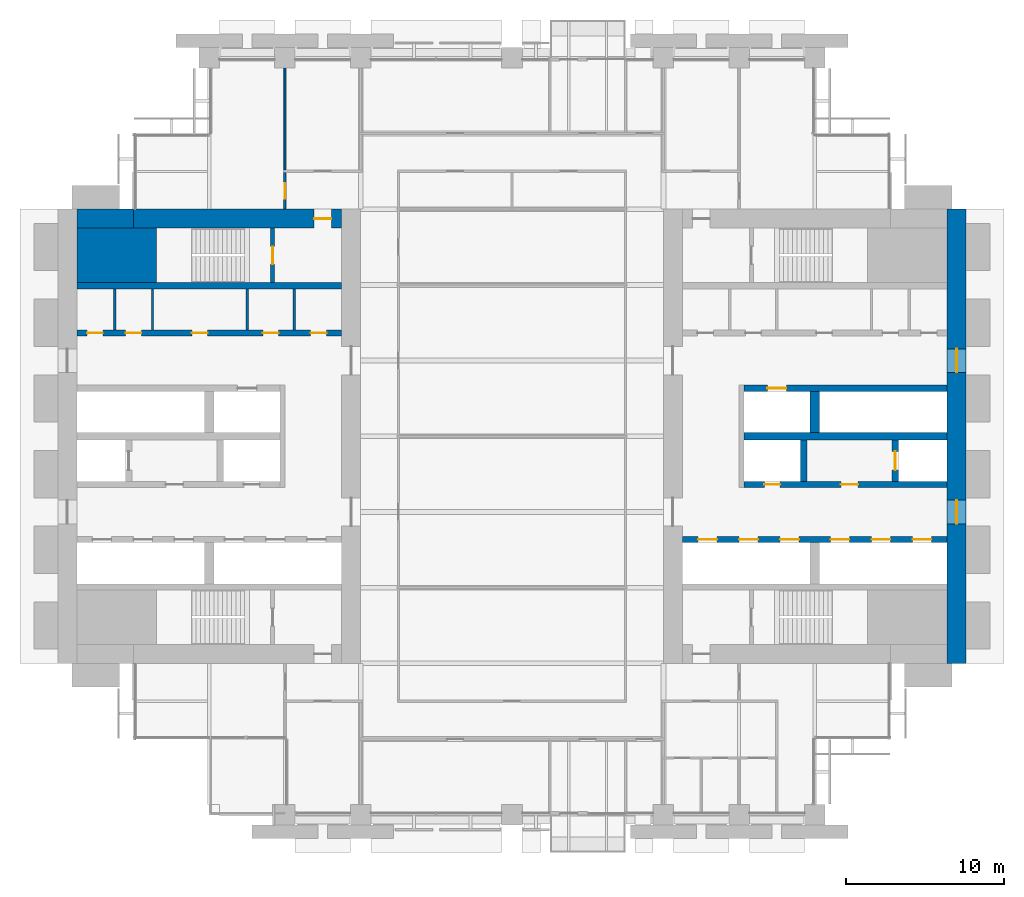
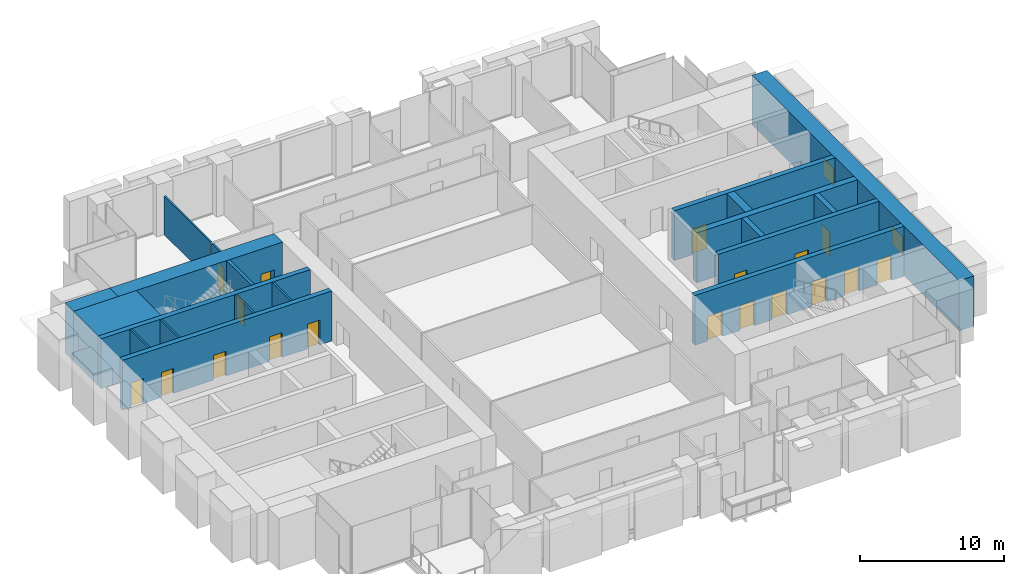
# One storey, part 11 of 15: 20 walls, 18 doors, 2 windows, 20 openings.
"""IFC4 building model written with IfcOpenShell, lengths in metres."""

from ifc_helpers import new_model, si_unit, direction, frame, frame_2d, origin, place, context, subcontext, project, spatial, rectangle, extrude, material, layer, layer_set, type_object, element, fill, save


model = new_model("IFC4")

# Units and contexts
model_context = context("Model", 3, precision=1e-05, world=origin(), true_north=direction((0.0, 1.0)))
body_context = subcontext(model_context, "Body", "Model", "MODEL_VIEW")
ifc_project = project(units=[si_unit("LENGTHUNIT", "METRE"), si_unit("AREAUNIT", "SQUARE_METRE"), si_unit("VOLUMEUNIT", "CUBIC_METRE"), si_unit("PLANEANGLEUNIT", "RADIAN"), si_unit("MASSUNIT", "GRAM", prefix="KILO")], contexts=[model_context])

# Site, building, storey
site_placement = place(None, origin())
site = spatial("IfcSite", under=ifc_project, at=site_placement, CompositionType="ELEMENT")
building_placement = place(site_placement, origin())
building = spatial("IfcBuilding", under=site, at=building_placement, Name="Baori Bourse Tower", CompositionType="ELEMENT")
storey_placement = place(building_placement, frame((0.0, 0.0, 34.60009765625)))
storey = spatial("IfcBuildingStorey", under=building, at=storey_placement, Name="L06", CompositionType="ELEMENT", Elevation=34.60009765625)

# Walls
ifc_material_1 = material(Name="Concrete f'c 70 MPa", Category="concrete")
wall_type_1 = type_object("IfcWallType", Name="Core corner block f'c 70", PredefinedType="SHEAR", material=ifc_material_1)
wall_1_placement = place(storey_placement, frame((1.199951171875, 35.47509765625, 0.0), z_axis=(0.0, 0.0, 1.0), x_axis=(1.0, 0.0, 0.0)))
element("IfcWall", 1, at=wall_1_placement, inside=storey, type_object=wall_type_1, Name="Core wall W23", PredefinedType="SHEAR", context=body_context, shape_type="SweptSolid", body=[
    extrude(rectangle(XDim=5.050048828125, YDim=3.449951171875, at=frame_2d((2.52490234375, 0.0))), origin(), (0.0, 0.0, 1.0), 4.239990234375),
])
ifc_material_2 = material(Name="Blockwork partition", Category="masonry")
ifc_layer_1 = layer(ifc_material_2, 0.14990234375)
ifc_layer_set_1 = layer_set([ifc_layer_1], Name="Core partition 150")
wall_type_2 = type_object("IfcWallType", Name="Core partition 150", PredefinedType="PARTITIONING", material=ifc_layer_set_1)
for number, where, z_axis, x_axis, name in (
    (2, (3.60009765625, 30.75, 0.0), (0.0, 0.0, 1.0), (0.0, 1.0, 0.0), "Partition wall W18"),
    (3, (6.0, 30.75, 0.0), (0.0, 0.0, 1.0), (0.0, 1.0, 0.0), "Partition wall W19"),
    (4, (12.0, 30.75, 0.0), (0.0, 0.0, 1.0), (0.0, 1.0, 0.0), "Partition wall W20"),
    (5, (15.0, 30.75, 0.0), (0.0, 0.0, 1.0), (0.0, 1.0, 0.0), "Partition wall W21"),
):
    element("IfcWall", number, at=place(storey_placement, frame(where, z_axis=z_axis, x_axis=x_axis)), inside=storey, type_object=wall_type_2, Name=name, PredefinedType="PARTITIONING", context=body_context, shape_type="SweptSolid", body=[
        extrude(rectangle(XDim=2.60009765625, YDim=0.14990234375, at=frame_2d((1.300048828125, 0.0))), origin(), (0.0, 0.0, 1.0), 4.239990234375),
    ])
ifc_material_3 = material(Name="Concrete f'c 70 MPa", Category="concrete")
ifc_layer_2 = layer(ifc_material_3, 1.199951171875)
ifc_layer_set_2 = layer_set([ifc_layer_2], Name="Core wall 1200 f'c 70")
wall_type_3 = type_object("IfcWallType", Name="Core wall 1200 f'c 70", PredefinedType="SHEAR", material=ifc_layer_set_2)
wall_2_placement = place(storey_placement, frame((1.199951171875, 37.800048828125, 0.0), z_axis=(0.0, 0.0, 1.0), x_axis=(1.0, 0.0, 0.0)))
element("IfcWall", 6, at=wall_2_placement, inside=storey, type_object=wall_type_3, Name="Core wall W25", PredefinedType="SHEAR", context=body_context, shape_type="SweptSolid", body=[
    extrude(rectangle(XDim=3.60009765625, YDim=1.199951171875, at=frame_2d((1.800048828125, 0.0))), origin(), (0.0, 0.0, 1.0), 4.239990234375),
])

# Wall, opening, door
wall_3_placement = place(storey_placement, frame((4.800048828125, 37.800048828125, 0.0), z_axis=(0.0, 0.0, 1.0), x_axis=(1.0, 0.0, 0.0)))
wall_3 = element("IfcWall", 7, at=wall_3_placement, inside=storey, type_object=wall_type_3, Name="Core wall W26", PredefinedType="SHEAR", context=body_context, shape_type="SweptSolid", body=[
    extrude(rectangle(XDim=13.199951171875, YDim=1.199951171875, at=frame_2d((6.60009765625, 0.0))), origin(), (0.0, 0.0, 1.0), 4.239990234375),
])
opening_1_placement = place(wall_3_placement, frame((11.449951171875, 0.0, 0.0)))
opening_1 = element("IfcOpeningElement", 8, at=opening_1_placement, cuts=wall_3, Name="Opening L06-D104", PredefinedType="OPENING", context=body_context, shape_type="SweptSolid", body=[
    extrude(rectangle(XDim=1.10009765625, YDim=2.10009765625, at=frame_2d((0.550048828125, 1.050048828125))), frame((0.0, 0.60986328125, 0.0), z_axis=(0.0, -1.0, 0.0), x_axis=(1.0, 0.0, 0.0)), (0.0, 0.0, 1.0), 1.219970703125),
])
ifc_material_4 = material(Name="Painted steel door", Category="steel")
door_type_1 = type_object("IfcDoorType", Name="Stair door 1100", OperationType="SINGLE_SWING_LEFT", PredefinedType="DOOR", material=ifc_material_4)
door_1_placement = place(opening_1_placement, origin())
door_1 = element("IfcDoor", 9, at=door_1_placement, inside=storey, type_object=door_type_1, Name="Stair vestibule door B W L06", OperationType="SINGLE_SWING_LEFT", OverallHeight=2.10009765625, OverallWidth=1.10009765625, PredefinedType="DOOR", context=body_context, shape_type="SweptSolid", body=[
    extrude(rectangle(XDim=1.10009765625, YDim=2.10009765625, at=frame_2d((0.550048828125, 1.050048828125))), frame((0.0, 0.02490234375, 0.0), z_axis=(0.0, -1.0, 0.0), x_axis=(1.0, 0.0, 0.0)), (0.0, 0.0, 1.0), 0.050048828125),
])
fill(opening_1, door_1)

# Wall, openings, windows
wall_4_placement = place(storey_placement, frame((57.0, 38.39990234375, 0.0), z_axis=(0.0, 0.0, 1.0), x_axis=(0.0, -1.0, 0.0)))
wall_4 = element("IfcWall", 10, at=wall_4_placement, inside=storey, type_object=wall_type_3, Name="Core wall E01", PredefinedType="SHEAR", context=body_context, shape_type="SweptSolid", body=[
    extrude(rectangle(XDim=28.7998046875, YDim=1.199951171875, at=frame_2d((14.39990234375, 0.0))), origin(), (0.0, 0.0, 1.0), 4.239990234375),
])
opening_2_placement = place(wall_4_placement, frame((18.449951171875, 0.0, 0.89990234375)))
opening_2 = element("IfcOpeningElement", 11, at=opening_2_placement, cuts=wall_4, Name="Opening L06-KW201", PredefinedType="OPENING", context=body_context, shape_type="SweptSolid", body=[
    extrude(rectangle(XDim=1.5, YDim=1.5, at=frame_2d((0.75, 0.75))), frame((0.0, 0.60986328125, 0.0), z_axis=(0.0, -1.0, 0.0), x_axis=(1.0, 0.0, 0.0)), (0.0, 0.0, 1.0), 1.219970703125),
])
opening_3_placement = place(wall_4_placement, frame((8.85009765625, 0.0, 0.89990234375)))
opening_3 = element("IfcOpeningElement", 12, at=opening_3_placement, cuts=wall_4, Name="Opening L06-KW202", PredefinedType="OPENING", context=body_context, shape_type="SweptSolid", body=[
    extrude(rectangle(XDim=1.5, YDim=1.5, at=frame_2d((0.75, 0.75))), frame((0.0, 0.60986328125, 0.0), z_axis=(0.0, -1.0, 0.0), x_axis=(1.0, 0.0, 0.0)), (0.0, 0.0, 1.0), 1.219970703125),
])
ifc_material_5 = material(Name="Pale anodised aluminium", Category="aluminium")
window_type = type_object("IfcWindowType", Name="Lobby window 1500 x 1500", PartitioningType="SINGLE_PANEL", PredefinedType="WINDOW", material=ifc_material_5)
window_1_placement = place(opening_2_placement, origin())
window_1 = element("IfcWindow", 13, at=window_1_placement, inside=storey, type_object=window_type, Name="Outer wall window E L06 1", OverallHeight=1.5, OverallWidth=1.5, PartitioningType="SINGLE_PANEL", PredefinedType="WINDOW", context=body_context, shape_type="SweptSolid", body=[
    extrude(rectangle(XDim=1.5, YDim=1.5, at=frame_2d((0.75, 0.75))), frame((0.0, 0.030029296875, 0.0), z_axis=(0.0, -1.0, 0.0), x_axis=(1.0, 0.0, 0.0)), (0.0, 0.0, 1.0), 0.06005859375),
])
fill(opening_2, window_1)
window_2_placement = place(opening_3_placement, origin())
window_2 = element("IfcWindow", 14, at=window_2_placement, inside=storey, type_object=window_type, Name="Outer wall window E L06 2", OverallHeight=1.5, OverallWidth=1.5, PartitioningType="SINGLE_PANEL", PredefinedType="WINDOW", context=body_context, shape_type="SweptSolid", body=[
    extrude(rectangle(XDim=1.5, YDim=1.5, at=frame_2d((0.75, 0.75))), frame((0.0, 0.030029296875, 0.0), z_axis=(0.0, -1.0, 0.0), x_axis=(1.0, 0.0, 0.0)), (0.0, 0.0, 1.0), 0.06005859375),
])
fill(opening_3, window_2)

# Wall, opening, door
ifc_material_6 = material(Name="Gypsum board partition")
ifc_layer_3 = layer(ifc_material_6, 0.14990234375)
ifc_layer_set_3 = layer_set([ifc_layer_3], Name="Corridor partition 150")
wall_type_4 = type_object("IfcWallType", Name="Corridor partition 150", PredefinedType="PARTITIONING", material=ifc_layer_set_3)
wall_5_placement = place(storey_placement, frame((14.39990234375, 38.39990234375, 0.0), z_axis=(0.0, 0.0, 1.0), x_axis=(0.0, 1.0, 0.0)))
wall_5 = element("IfcWall", 15, at=wall_5_placement, inside=storey, type_object=wall_type_4, Name="Partition", PredefinedType="PARTITIONING", context=body_context, shape_type="SweptSolid", body=[
    extrude(rectangle(XDim=2.3251953125, YDim=0.14990234375, at=frame_2d((1.16259765625, 0.0))), origin(), (0.0, 0.0, 1.0), 3.26953125),
])
opening_4_placement = place(wall_5_placement, frame((0.66259765625, 0.0, 0.0)))
opening_4 = element("IfcOpeningElement", 16, at=opening_4_placement, cuts=wall_5, Name="Opening L06-D18", PredefinedType="OPENING", context=body_context, shape_type="SweptSolid", body=[
    extrude(rectangle(XDim=1.0, YDim=2.10009765625, at=frame_2d((0.5, 1.050048828125))), frame((0.0, 0.0849609375, 0.0), z_axis=(0.0, -1.0, 0.0), x_axis=(1.0, 0.0, 0.0)), (0.0, 0.0, 1.0), 0.169921875),
])
ifc_material_7 = material(Name="Timber door leaf", Category="wood")
door_type_2 = type_object("IfcDoorType", Name="Door 1000 x 2100", OperationType="SINGLE_SWING_LEFT", PredefinedType="DOOR", material=ifc_material_7)
door_2_placement = place(opening_4_placement, origin())
door_2 = element("IfcDoor", 17, at=door_2_placement, inside=storey, type_object=door_type_2, Name="Door", OperationType="SINGLE_SWING_RIGHT", OverallHeight=2.10009765625, OverallWidth=1.0, PredefinedType="DOOR", context=body_context, shape_type="SweptSolid", body=[
    extrude(rectangle(XDim=1.0, YDim=2.10009765625, at=frame_2d((0.5, 1.050048828125))), frame((0.0, 0.02490234375, 0.0), z_axis=(0.0, -1.0, 0.0), x_axis=(1.0, 0.0, 0.0)), (0.0, 0.0, 1.0), 0.050048828125),
])
fill(opening_4, door_2)

# Wall
ifc_material_8 = material(Name="Gypsum board partition")
ifc_layer_4 = layer(ifc_material_8, 0.125)
ifc_layer_set_4 = layer_set([ifc_layer_4], Name="Partition 125")
wall_type_5 = type_object("IfcWallType", Name="Partition 125", PredefinedType="PARTITIONING", material=ifc_layer_set_4)
wall_6_placement = place(storey_placement, frame((14.39990234375, 40.875, 0.0), z_axis=(0.0, 0.0, 1.0), x_axis=(0.0, 1.0, 0.0)))
element("IfcWall", 18, at=wall_6_placement, inside=storey, type_object=wall_type_5, Name="Partition", PredefinedType="PARTITIONING", context=body_context, shape_type="SweptSolid", body=[
    extrude(rectangle(XDim=6.47509765625, YDim=0.125, at=frame_2d((3.237548828125, 0.0))), origin(), (0.0, 0.0, 1.0), 3.26953125),
])

# Wall, opening, door
ifc_material_9 = material(Name="Concrete f'c 70 MPa", Category="concrete")
ifc_layer_5 = layer(ifc_material_9, 0.25)
ifc_layer_set_5 = layer_set([ifc_layer_5], Name="Shaft wall 250 f'c 70")
wall_type_6 = type_object("IfcWallType", Name="Shaft wall 250 f'c 70", PredefinedType="SHEAR", material=ifc_layer_set_5)
wall_7_placement = place(storey_placement, frame((13.625, 33.75, 0.0), z_axis=(0.0, 0.0, 1.0), x_axis=(0.0, 1.0, 0.0)))
wall_7 = element("IfcWall", 19, at=wall_7_placement, inside=storey, type_object=wall_type_6, Name="Core wall W24", PredefinedType="SHEAR", context=body_context, shape_type="SweptSolid", body=[
    extrude(rectangle(XDim=3.449951171875, YDim=0.25, at=frame_2d((1.72509765625, 0.0))), origin(), (0.0, 0.0, 1.0), 4.239990234375),
])
opening_5_placement = place(wall_7_placement, frame((1.175048828125, 0.0, 0.0)))
opening_5 = element("IfcOpeningElement", 20, at=opening_5_placement, cuts=wall_7, Name="Opening L06-D103", PredefinedType="OPENING", context=body_context, shape_type="SweptSolid", body=[
    extrude(rectangle(XDim=1.10009765625, YDim=2.10009765625, at=frame_2d((0.550048828125, 1.050048828125))), frame((0.0, 0.135009765625, 0.0), z_axis=(0.0, -1.0, 0.0), x_axis=(1.0, 0.0, 0.0)), (0.0, 0.0, 1.0), 0.27001953125),
])
door_3_placement = place(opening_5_placement, origin())
door_3 = element("IfcDoor", 21, at=door_3_placement, inside=storey, type_object=door_type_1, Name="Stair door B W L06", OperationType="SINGLE_SWING_LEFT", OverallHeight=2.10009765625, OverallWidth=1.10009765625, PredefinedType="DOOR", context=body_context, shape_type="SweptSolid", body=[
    extrude(rectangle(XDim=1.10009765625, YDim=2.10009765625, at=frame_2d((0.550048828125, 1.050048828125))), frame((0.0, 0.02490234375, 0.0), z_axis=(0.0, -1.0, 0.0), x_axis=(1.0, 0.0, 0.0)), (0.0, 0.0, 1.0), 0.050048828125),
])
fill(opening_5, door_3)

# Wall, openings, doors
ifc_material_10 = material(Name="Concrete f'c 70 MPa", Category="concrete")
ifc_layer_6 = layer(ifc_material_10, 0.39990234375)
ifc_layer_set_6 = layer_set([ifc_layer_6], Name="Shaft wall 400 f'c 70")
wall_type_7 = type_object("IfcWallType", Name="Shaft wall 400 f'c 70", PredefinedType="SHEAR", material=ifc_layer_set_6)
wall_8_placement = place(storey_placement, frame((1.199951171875, 30.550048828125, 0.0), z_axis=(0.0, 0.0, 1.0), x_axis=(1.0, 0.0, 0.0)))
wall_8 = element("IfcWall", 22, at=wall_8_placement, inside=storey, type_object=wall_type_7, Name="Core wall W17", PredefinedType="SHEAR", context=body_context, shape_type="SweptSolid", body=[
    extrude(rectangle(XDim=16.800048828125, YDim=0.39990234375, at=frame_2d((8.39990234375, 0.0))), origin(), (0.0, 0.0, 1.0), 4.239990234375),
])
opening_6_placement = place(wall_8_placement, frame((0.66259765625, 0.0, 0.0)))
opening_6 = element("IfcOpeningElement", 23, at=opening_6_placement, cuts=wall_8, Name="Opening L06-D109", PredefinedType="OPENING", context=body_context, shape_type="SweptSolid", body=[
    extrude(rectangle(XDim=1.0, YDim=2.10009765625, at=frame_2d((0.5, 1.050048828125))), frame((0.0, 0.2099609375, 0.0), z_axis=(0.0, -1.0, 0.0), x_axis=(1.0, 0.0, 0.0)), (0.0, 0.0, 1.0), 0.419921875),
])
opening_7_placement = place(wall_8_placement, frame((3.10009765625, 0.0, 0.0)))
opening_7 = element("IfcOpeningElement", 24, at=opening_7_placement, cuts=wall_8, Name="Opening L06-D110", PredefinedType="OPENING", context=body_context, shape_type="SweptSolid", body=[
    extrude(rectangle(XDim=1.0, YDim=2.10009765625, at=frame_2d((0.5, 1.050048828125))), frame((0.0, 0.2099609375, 0.0), z_axis=(0.0, -1.0, 0.0), x_axis=(1.0, 0.0, 0.0)), (0.0, 0.0, 1.0), 0.419921875),
])
opening_8_placement = place(wall_8_placement, frame((7.300048828125, 0.0, 0.0)))
opening_8 = element("IfcOpeningElement", 25, at=opening_8_placement, cuts=wall_8, Name="Opening L06-D111", PredefinedType="OPENING", context=body_context, shape_type="SweptSolid", body=[
    extrude(rectangle(XDim=1.0, YDim=2.10009765625, at=frame_2d((0.5, 1.050048828125))), frame((0.0, 0.2099609375, 0.0), z_axis=(0.0, -1.0, 0.0), x_axis=(1.0, 0.0, 0.0)), (0.0, 0.0, 1.0), 0.419921875),
])
opening_9_placement = place(wall_8_placement, frame((11.800048828125, 0.0, 0.0)))
opening_9 = element("IfcOpeningElement", 26, at=opening_9_placement, cuts=wall_8, Name="Opening L06-D112", PredefinedType="OPENING", context=body_context, shape_type="SweptSolid", body=[
    extrude(rectangle(XDim=1.0, YDim=2.10009765625, at=frame_2d((0.5, 1.050048828125))), frame((0.0, 0.2099609375, 0.0), z_axis=(0.0, -1.0, 0.0), x_axis=(1.0, 0.0, 0.0)), (0.0, 0.0, 1.0), 0.419921875),
])
opening_10_placement = place(wall_8_placement, frame((14.83740234375, 0.0, 0.0)))
opening_10 = element("IfcOpeningElement", 27, at=opening_10_placement, cuts=wall_8, Name="Opening L06-D113", PredefinedType="OPENING", context=body_context, shape_type="SweptSolid", body=[
    extrude(rectangle(XDim=1.0, YDim=2.10009765625, at=frame_2d((0.5, 1.050048828125))), frame((0.0, 0.2099609375, 0.0), z_axis=(0.0, -1.0, 0.0), x_axis=(1.0, 0.0, 0.0)), (0.0, 0.0, 1.0), 0.419921875),
])
ifc_material_11 = material(Name="Painted steel door", Category="steel")
door_type_3 = type_object("IfcDoorType", Name="Core door 1000", OperationType="SINGLE_SWING_LEFT", PredefinedType="DOOR", material=ifc_material_11)
door_4_placement = place(opening_7_placement, origin())
door_4 = element("IfcDoor", 28, at=door_4_placement, inside=storey, type_object=door_type_3, Name="Store Room door W L06", OperationType="SINGLE_SWING_LEFT", OverallHeight=2.10009765625, OverallWidth=1.0, PredefinedType="DOOR", context=body_context, shape_type="SweptSolid", body=[
    extrude(rectangle(XDim=1.0, YDim=2.10009765625, at=frame_2d((0.5, 1.050048828125))), frame((0.0, 0.02490234375, 0.0), z_axis=(0.0, -1.0, 0.0), x_axis=(1.0, 0.0, 0.0)), (0.0, 0.0, 1.0), 0.050048828125),
])
fill(opening_7, door_4)
door_5_placement = place(opening_8_placement, origin())
door_5 = element("IfcDoor", 29, at=door_5_placement, inside=storey, type_object=door_type_3, Name="Men'S Wc door W L06", OperationType="SINGLE_SWING_LEFT", OverallHeight=2.10009765625, OverallWidth=1.0, PredefinedType="DOOR", context=body_context, shape_type="SweptSolid", body=[
    extrude(rectangle(XDim=1.0, YDim=2.10009765625, at=frame_2d((0.5, 1.050048828125))), frame((0.0, 0.02490234375, 0.0), z_axis=(0.0, -1.0, 0.0), x_axis=(1.0, 0.0, 0.0)), (0.0, 0.0, 1.0), 0.050048828125),
])
fill(opening_8, door_5)
door_6_placement = place(opening_9_placement, origin())
door_6 = element("IfcDoor", 30, at=door_6_placement, inside=storey, type_object=door_type_3, Name="Women'S Wc door W L06", OperationType="SINGLE_SWING_LEFT", OverallHeight=2.10009765625, OverallWidth=1.0, PredefinedType="DOOR", context=body_context, shape_type="SweptSolid", body=[
    extrude(rectangle(XDim=1.0, YDim=2.10009765625, at=frame_2d((0.5, 1.050048828125))), frame((0.0, 0.02490234375, 0.0), z_axis=(0.0, -1.0, 0.0), x_axis=(1.0, 0.0, 0.0)), (0.0, 0.0, 1.0), 0.050048828125),
])
fill(opening_9, door_6)
door_7_placement = place(opening_10_placement, origin())
door_7 = element("IfcDoor", 31, at=door_7_placement, inside=storey, type_object=door_type_3, Name="Accessible Wc door W L06", OperationType="SINGLE_SWING_LEFT", OverallHeight=2.10009765625, OverallWidth=1.0, PredefinedType="DOOR", context=body_context, shape_type="SweptSolid", body=[
    extrude(rectangle(XDim=1.0, YDim=2.10009765625, at=frame_2d((0.5, 1.050048828125))), frame((0.0, 0.02490234375, 0.0), z_axis=(0.0, -1.0, 0.0), x_axis=(1.0, 0.0, 0.0)), (0.0, 0.0, 1.0), 0.050048828125),
])
fill(opening_10, door_7)
ifc_material_12 = material(Name="Painted steel door", Category="steel")
door_type_4 = type_object("IfcDoorType", Name="Plant room door 1000", OperationType="SINGLE_SWING_LEFT", PredefinedType="DOOR", material=ifc_material_12)
door_8_placement = place(opening_6_placement, origin())
door_8 = element("IfcDoor", 32, at=door_8_placement, inside=storey, type_object=door_type_4, Name="Communications Room door W L06", OperationType="SINGLE_SWING_LEFT", OverallHeight=2.10009765625, OverallWidth=1.0, PredefinedType="DOOR", context=body_context, shape_type="SweptSolid", body=[
    extrude(rectangle(XDim=1.0, YDim=2.10009765625, at=frame_2d((0.5, 1.050048828125))), frame((0.0, 0.02490234375, 0.0), z_axis=(0.0, -1.0, 0.0), x_axis=(1.0, 0.0, 0.0)), (0.0, 0.0, 1.0), 0.050048828125),
])
fill(opening_6, door_8)

# Wall
wall_9_placement = place(storey_placement, frame((1.199951171875, 33.550048828125, 0.0), z_axis=(0.0, 0.0, 1.0), x_axis=(1.0, 0.0, 0.0)))
element("IfcWall", 33, at=wall_9_placement, inside=storey, type_object=wall_type_7, Name="Core wall W22", PredefinedType="SHEAR", context=body_context, shape_type="SweptSolid", body=[
    extrude(rectangle(XDim=16.800048828125, YDim=0.39990234375, at=frame_2d((8.39990234375, 0.0))), origin(), (0.0, 0.0, 1.0), 4.239990234375),
])

# Wall, openings, doors
wall_10_placement = place(storey_placement, frame((39.60009765625, 17.449951171875, 0.0), z_axis=(0.0, 0.0, 1.0), x_axis=(1.0, 0.0, 0.0)))
wall_10 = element("IfcWall", 34, at=wall_10_placement, inside=storey, type_object=wall_type_7, Name="Core wall E09", PredefinedType="SHEAR", context=body_context, shape_type="SweptSolid", body=[
    extrude(rectangle(XDim=16.7998046875, YDim=0.39990234375, at=frame_2d((8.39990234375, 0.0))), origin(), (0.0, 0.0, 1.0), 4.239990234375),
])
opening_11_placement = place(wall_10_placement, frame((14.60009765625, 0.0, 0.0)))
opening_11 = element("IfcOpeningElement", 35, at=opening_11_placement, cuts=wall_10, Name="Opening L06-D214", PredefinedType="OPENING", context=body_context, shape_type="SweptSolid", body=[
    extrude(rectangle(XDim=1.199951171875, YDim=2.10009765625, at=frame_2d((0.60009765625, 1.050048828125))), frame((0.0, 0.2099609375, 0.0), z_axis=(0.0, -1.0, 0.0), x_axis=(1.0, 0.0, 0.0)), (0.0, 0.0, 1.0), 0.419921875),
])
opening_12_placement = place(wall_10_placement, frame((12.0, 0.0, 0.0)))
opening_12 = element("IfcOpeningElement", 36, at=opening_12_placement, cuts=wall_10, Name="Opening L06-D215", PredefinedType="OPENING", context=body_context, shape_type="SweptSolid", body=[
    extrude(rectangle(XDim=1.199951171875, YDim=2.10009765625, at=frame_2d((0.60009765625, 1.050048828125))), frame((0.0, 0.2099609375, 0.0), z_axis=(0.0, -1.0, 0.0), x_axis=(1.0, 0.0, 0.0)), (0.0, 0.0, 1.0), 0.419921875),
])
opening_13_placement = place(wall_10_placement, frame((9.39990234375, 0.0, 0.0)))
opening_13 = element("IfcOpeningElement", 37, at=opening_13_placement, cuts=wall_10, Name="Opening L06-D216", PredefinedType="OPENING", context=body_context, shape_type="SweptSolid", body=[
    extrude(rectangle(XDim=1.199951171875, YDim=2.10009765625, at=frame_2d((0.60009765625, 1.050048828125))), frame((0.0, 0.2099609375, 0.0), z_axis=(0.0, -1.0, 0.0), x_axis=(1.0, 0.0, 0.0)), (0.0, 0.0, 1.0), 0.419921875),
])
opening_14_placement = place(wall_10_placement, frame((6.199951171875, 0.0, 0.0)))
opening_14 = element("IfcOpeningElement", 38, at=opening_14_placement, cuts=wall_10, Name="Opening L06-D217", PredefinedType="OPENING", context=body_context, shape_type="SweptSolid", body=[
    extrude(rectangle(XDim=1.199951171875, YDim=2.10009765625, at=frame_2d((0.60009765625, 1.050048828125))), frame((0.0, 0.2099609375, 0.0), z_axis=(0.0, -1.0, 0.0), x_axis=(1.0, 0.0, 0.0)), (0.0, 0.0, 1.0), 0.419921875),
])
opening_15_placement = place(wall_10_placement, frame((3.60009765625, 0.0, 0.0)))
opening_15 = element("IfcOpeningElement", 39, at=opening_15_placement, cuts=wall_10, Name="Opening L06-D218", PredefinedType="OPENING", context=body_context, shape_type="SweptSolid", body=[
    extrude(rectangle(XDim=1.199951171875, YDim=2.10009765625, at=frame_2d((0.60009765625, 1.050048828125))), frame((0.0, 0.2099609375, 0.0), z_axis=(0.0, -1.0, 0.0), x_axis=(1.0, 0.0, 0.0)), (0.0, 0.0, 1.0), 0.419921875),
])
opening_16_placement = place(wall_10_placement, frame((1.0, 0.0, 0.0)))
opening_16 = element("IfcOpeningElement", 40, at=opening_16_placement, cuts=wall_10, Name="Opening L06-D219", PredefinedType="OPENING", context=body_context, shape_type="SweptSolid", body=[
    extrude(rectangle(XDim=1.199951171875, YDim=2.10009765625, at=frame_2d((0.60009765625, 1.050048828125))), frame((0.0, 0.2099609375, 0.0), z_axis=(0.0, -1.0, 0.0), x_axis=(1.0, 0.0, 0.0)), (0.0, 0.0, 1.0), 0.419921875),
])
ifc_material_13 = material(Name="Stainless steel door", Category="steel")
door_type_5 = type_object("IfcDoorType", Name="Lift landing door", OperationType="DOUBLE_DOOR_SLIDING", PredefinedType="DOOR", material=ifc_material_13)
door_9_placement = place(opening_11_placement, origin())
door_9 = element("IfcDoor", 41, at=door_9_placement, inside=storey, type_object=door_type_5, Name="Lift landing door LR1 E L06", OperationType="DOUBLE_DOOR_SLIDING", OverallHeight=2.10009765625, OverallWidth=1.199951171875, PredefinedType="DOOR", context=body_context, shape_type="SweptSolid", body=[
    extrude(rectangle(XDim=1.199951171875, YDim=2.10009765625, at=frame_2d((0.60009765625, 1.050048828125))), frame((0.0, 0.02490234375, 0.0), z_axis=(0.0, -1.0, 0.0), x_axis=(1.0, 0.0, 0.0)), (0.0, 0.0, 1.0), 0.050048828125),
])
fill(opening_11, door_9)
door_10_placement = place(opening_12_placement, origin())
door_10 = element("IfcDoor", 42, at=door_10_placement, inside=storey, type_object=door_type_5, Name="Lift landing door LR2 E L06", OperationType="DOUBLE_DOOR_SLIDING", OverallHeight=2.10009765625, OverallWidth=1.199951171875, PredefinedType="DOOR", context=body_context, shape_type="SweptSolid", body=[
    extrude(rectangle(XDim=1.199951171875, YDim=2.10009765625, at=frame_2d((0.60009765625, 1.050048828125))), frame((0.0, 0.02490234375, 0.0), z_axis=(0.0, -1.0, 0.0), x_axis=(1.0, 0.0, 0.0)), (0.0, 0.0, 1.0), 0.050048828125),
])
fill(opening_12, door_10)
door_11_placement = place(opening_13_placement, origin())
door_11 = element("IfcDoor", 43, at=door_11_placement, inside=storey, type_object=door_type_5, Name="Lift landing door LR3 E L06", OperationType="DOUBLE_DOOR_SLIDING", OverallHeight=2.10009765625, OverallWidth=1.199951171875, PredefinedType="DOOR", context=body_context, shape_type="SweptSolid", body=[
    extrude(rectangle(XDim=1.199951171875, YDim=2.10009765625, at=frame_2d((0.60009765625, 1.050048828125))), frame((0.0, 0.02490234375, 0.0), z_axis=(0.0, -1.0, 0.0), x_axis=(1.0, 0.0, 0.0)), (0.0, 0.0, 1.0), 0.050048828125),
])
fill(opening_13, door_11)
door_12_placement = place(opening_14_placement, origin())
door_12 = element("IfcDoor", 44, at=door_12_placement, inside=storey, type_object=door_type_5, Name="Lift landing door LR4 E L06", OperationType="DOUBLE_DOOR_SLIDING", OverallHeight=2.10009765625, OverallWidth=1.199951171875, PredefinedType="DOOR", context=body_context, shape_type="SweptSolid", body=[
    extrude(rectangle(XDim=1.199951171875, YDim=2.10009765625, at=frame_2d((0.60009765625, 1.050048828125))), frame((0.0, 0.02490234375, 0.0), z_axis=(0.0, -1.0, 0.0), x_axis=(1.0, 0.0, 0.0)), (0.0, 0.0, 1.0), 0.050048828125),
])
fill(opening_14, door_12)
door_13_placement = place(opening_15_placement, origin())
door_13 = element("IfcDoor", 45, at=door_13_placement, inside=storey, type_object=door_type_5, Name="Lift landing door LR5 E L06", OperationType="DOUBLE_DOOR_SLIDING", OverallHeight=2.10009765625, OverallWidth=1.199951171875, PredefinedType="DOOR", context=body_context, shape_type="SweptSolid", body=[
    extrude(rectangle(XDim=1.199951171875, YDim=2.10009765625, at=frame_2d((0.60009765625, 1.050048828125))), frame((0.0, 0.02490234375, 0.0), z_axis=(0.0, -1.0, 0.0), x_axis=(1.0, 0.0, 0.0)), (0.0, 0.0, 1.0), 0.050048828125),
])
fill(opening_15, door_13)
door_14_placement = place(opening_16_placement, origin())
door_14 = element("IfcDoor", 46, at=door_14_placement, inside=storey, type_object=door_type_5, Name="Lift landing door LR6 E L06", OperationType="DOUBLE_DOOR_SLIDING", OverallHeight=2.10009765625, OverallWidth=1.199951171875, PredefinedType="DOOR", context=body_context, shape_type="SweptSolid", body=[
    extrude(rectangle(XDim=1.199951171875, YDim=2.10009765625, at=frame_2d((0.60009765625, 1.050048828125))), frame((0.0, 0.02490234375, 0.0), z_axis=(0.0, -1.0, 0.0), x_axis=(1.0, 0.0, 0.0)), (0.0, 0.0, 1.0), 0.050048828125),
])
fill(opening_16, door_14)

wall_11_placement = place(storey_placement, frame((43.5, 20.949951171875, 0.0), z_axis=(0.0, 0.0, 1.0), x_axis=(1.0, 0.0, 0.0)))
wall_11 = element("IfcWall", 47, at=wall_11_placement, inside=storey, type_object=wall_type_7, Name="Core wall E10", PredefinedType="SHEAR", context=body_context, shape_type="SweptSolid", body=[
    extrude(rectangle(XDim=12.89990234375, YDim=0.39990234375, at=frame_2d((6.449951171875, 0.0))), origin(), (0.0, 0.0, 1.0), 4.239990234375),
])
opening_17_placement = place(wall_11_placement, frame((6.14990234375, 0.0, 0.0)))
opening_17 = element("IfcOpeningElement", 48, at=opening_17_placement, cuts=wall_11, Name="Opening L06-D205", PredefinedType="OPENING", context=body_context, shape_type="SweptSolid", body=[
    extrude(rectangle(XDim=1.10009765625, YDim=2.10009765625, at=frame_2d((0.550048828125, 1.050048828125))), frame((0.0, 0.2099609375, 0.0), z_axis=(0.0, -1.0, 0.0), x_axis=(1.0, 0.0, 0.0)), (0.0, 0.0, 1.0), 0.419921875),
])
opening_18_placement = place(wall_11_placement, frame((1.300048828125, 0.0, 0.0)))
opening_18 = element("IfcOpeningElement", 49, at=opening_18_placement, cuts=wall_11, Name="Opening L06-D206", PredefinedType="OPENING", context=body_context, shape_type="SweptSolid", body=[
    extrude(rectangle(XDim=1.0, YDim=2.10009765625, at=frame_2d((0.5, 1.050048828125))), frame((0.0, 0.2099609375, 0.0), z_axis=(0.0, -1.0, 0.0), x_axis=(1.0, 0.0, 0.0)), (0.0, 0.0, 1.0), 0.419921875),
])
ifc_material_14 = material(Name="Painted steel door", Category="steel")
door_type_6 = type_object("IfcDoorType", Name="Lobby door 1100", OperationType="SINGLE_SWING_LEFT", PredefinedType="DOOR", material=ifc_material_14)
door_15_placement = place(opening_17_placement, origin())
door_15 = element("IfcDoor", 50, at=door_15_placement, inside=storey, type_object=door_type_6, Name="Firefighting lobby door E L06", OperationType="SINGLE_SWING_LEFT", OverallHeight=2.10009765625, OverallWidth=1.10009765625, PredefinedType="DOOR", context=body_context, shape_type="SweptSolid", body=[
    extrude(rectangle(XDim=1.10009765625, YDim=2.10009765625, at=frame_2d((0.550048828125, 1.050048828125))), frame((0.0, 0.02490234375, 0.0), z_axis=(0.0, -1.0, 0.0), x_axis=(1.0, 0.0, 0.0)), (0.0, 0.0, 1.0), 0.050048828125),
])
fill(opening_17, door_15)
ifc_material_15 = material(Name="Painted steel door", Category="steel")
door_type_7 = type_object("IfcDoorType", Name="Shaft door 1000", OperationType="SINGLE_SWING_LEFT", PredefinedType="DOOR", material=ifc_material_15)
door_16_placement = place(opening_18_placement, origin())
door_16 = element("IfcDoor", 51, at=door_16_placement, inside=storey, type_object=door_type_7, Name="Riser room door E L06", OperationType="SINGLE_SWING_LEFT", OverallHeight=2.10009765625, OverallWidth=1.0, PredefinedType="DOOR", context=body_context, shape_type="SweptSolid", body=[
    extrude(rectangle(XDim=1.0, YDim=2.10009765625, at=frame_2d((0.5, 1.050048828125))), frame((0.0, 0.02490234375, 0.0), z_axis=(0.0, -1.0, 0.0), x_axis=(1.0, 0.0, 0.0)), (0.0, 0.0, 1.0), 0.050048828125),
])
fill(opening_18, door_16)

# Wall, opening, door
wall_12_placement = place(storey_placement, frame((53.10009765625, 21.14990234375, 0.0), z_axis=(0.0, 0.0, 1.0), x_axis=(0.0, 1.0, 0.0)))
wall_12 = element("IfcWall", 52, at=wall_12_placement, inside=storey, type_object=wall_type_7, Name="Core wall E12", PredefinedType="SHEAR", context=body_context, shape_type="SweptSolid", body=[
    extrude(rectangle(XDim=2.60009765625, YDim=0.39990234375, at=frame_2d((1.300048828125, 0.0))), origin(), (0.0, 0.0, 1.0), 4.239990234375),
])
opening_19_placement = place(wall_12_placement, frame((0.699951171875, 0.0, 0.0)))
opening_19 = element("IfcOpeningElement", 53, at=opening_19_placement, cuts=wall_12, Name="Opening L06-D221", PredefinedType="OPENING", context=body_context, shape_type="SweptSolid", body=[
    extrude(rectangle(XDim=1.199951171875, YDim=2.10009765625, at=frame_2d((0.60009765625, 1.050048828125))), frame((0.0, 0.2099609375, 0.0), z_axis=(0.0, -1.0, 0.0), x_axis=(1.0, 0.0, 0.0)), (0.0, 0.0, 1.0), 0.419921875),
])
door_17_placement = place(opening_19_placement, origin())
door_17 = element("IfcDoor", 54, at=door_17_placement, inside=storey, type_object=door_type_5, Name="Lift landing door FF2 E L06", OperationType="DOUBLE_DOOR_SLIDING", OverallHeight=2.10009765625, OverallWidth=1.199951171875, PredefinedType="DOOR", context=body_context, shape_type="SweptSolid", body=[
    extrude(rectangle(XDim=1.199951171875, YDim=2.10009765625, at=frame_2d((0.60009765625, 1.050048828125))), frame((0.0, 0.02490234375, 0.0), z_axis=(0.0, -1.0, 0.0), x_axis=(1.0, 0.0, 0.0)), (0.0, 0.0, 1.0), 0.050048828125),
])
fill(opening_19, door_17)

# Wall
wall_13_placement = place(storey_placement, frame((47.300048828125, 21.14990234375, 0.0), z_axis=(0.0, 0.0, 1.0), x_axis=(0.0, 1.0, 0.0)))
element("IfcWall", 55, at=wall_13_placement, inside=storey, type_object=wall_type_7, Name="Core wall E13", PredefinedType="SHEAR", context=body_context, shape_type="SweptSolid", body=[
    extrude(rectangle(XDim=2.60009765625, YDim=0.39990234375, at=frame_2d((1.300048828125, 0.0))), origin(), (0.0, 0.0, 1.0), 4.239990234375),
])

# Wall, opening, door
wall_14_placement = place(storey_placement, frame((43.5, 27.050048828125, 0.0), z_axis=(0.0, 0.0, 1.0), x_axis=(1.0, 0.0, 0.0)))
wall_14 = element("IfcWall", 56, at=wall_14_placement, inside=storey, type_object=wall_type_7, Name="Core wall E16", PredefinedType="SHEAR", context=body_context, shape_type="SweptSolid", body=[
    extrude(rectangle(XDim=12.89990234375, YDim=0.39990234375, at=frame_2d((6.449951171875, 0.0))), origin(), (0.0, 0.0, 1.0), 4.239990234375),
])
opening_20_placement = place(wall_14_placement, frame((1.5, 0.0, 0.0)))
opening_20 = element("IfcOpeningElement", 57, at=opening_20_placement, cuts=wall_14, Name="Opening L06-D220", PredefinedType="OPENING", context=body_context, shape_type="SweptSolid", body=[
    extrude(rectangle(XDim=1.199951171875, YDim=2.10009765625, at=frame_2d((0.60009765625, 1.050048828125))), frame((0.0, 0.2099609375, 0.0), z_axis=(0.0, -1.0, 0.0), x_axis=(1.0, 0.0, 0.0)), (0.0, 0.0, 1.0), 0.419921875),
])
door_18_placement = place(opening_20_placement, origin())
door_18 = element("IfcDoor", 58, at=door_18_placement, inside=storey, type_object=door_type_5, Name="Lift landing door SV1 E L06", OperationType="DOUBLE_DOOR_SLIDING", OverallHeight=2.10009765625, OverallWidth=1.199951171875, PredefinedType="DOOR", context=body_context, shape_type="SweptSolid", body=[
    extrude(rectangle(XDim=1.199951171875, YDim=2.10009765625, at=frame_2d((0.60009765625, 1.050048828125))), frame((0.0, 0.02490234375, 0.0), z_axis=(0.0, -1.0, 0.0), x_axis=(1.0, 0.0, 0.0)), (0.0, 0.0, 1.0), 0.050048828125),
])
fill(opening_20, door_18)

# Walls
ifc_material_16 = material(Name="Concrete f'c 70 MPa", Category="concrete")
ifc_layer_7 = layer(ifc_material_16, 0.5)
ifc_layer_set_7 = layer_set([ifc_layer_7], Name="Shaft wall 500 f'c 70")
wall_type_8 = type_object("IfcWallType", Name="Shaft wall 500 f'c 70", PredefinedType="SHEAR", material=ifc_layer_set_7)
wall_15_placement = place(storey_placement, frame((43.5, 24.0, 0.0), z_axis=(0.0, 0.0, 1.0), x_axis=(1.0, 0.0, 0.0)))
element("IfcWall", 59, at=wall_15_placement, inside=storey, type_object=wall_type_8, Name="Core wall E14", PredefinedType="SHEAR", context=body_context, shape_type="SweptSolid", body=[
    extrude(rectangle(XDim=12.89990234375, YDim=0.5, at=frame_2d((6.449951171875, 0.0))), origin(), (0.0, 0.0, 1.0), 4.239990234375),
])
ifc_material_17 = material(Name="Concrete f'c 70 MPa", Category="concrete")
ifc_layer_8 = layer(ifc_material_17, 0.60009765625)
ifc_layer_set_8 = layer_set([ifc_layer_8], Name="Shaft wall 600 f'c 70")
wall_type_9 = type_object("IfcWallType", Name="Shaft wall 600 f'c 70", PredefinedType="SHEAR", material=ifc_layer_set_8)
wall_16_placement = place(storey_placement, frame((48.0, 24.25, 0.0), z_axis=(0.0, 0.0, 1.0), x_axis=(0.0, 1.0, 0.0)))
element("IfcWall", 60, at=wall_16_placement, inside=storey, type_object=wall_type_9, Name="Core wall E15", PredefinedType="SHEAR", context=body_context, shape_type="SweptSolid", body=[
    extrude(rectangle(XDim=2.60009765625, YDim=0.60009765625, at=frame_2d((1.300048828125, 0.0))), origin(), (0.0, 0.0, 1.0), 4.239990234375),
])

save(model, "model.ifc")
